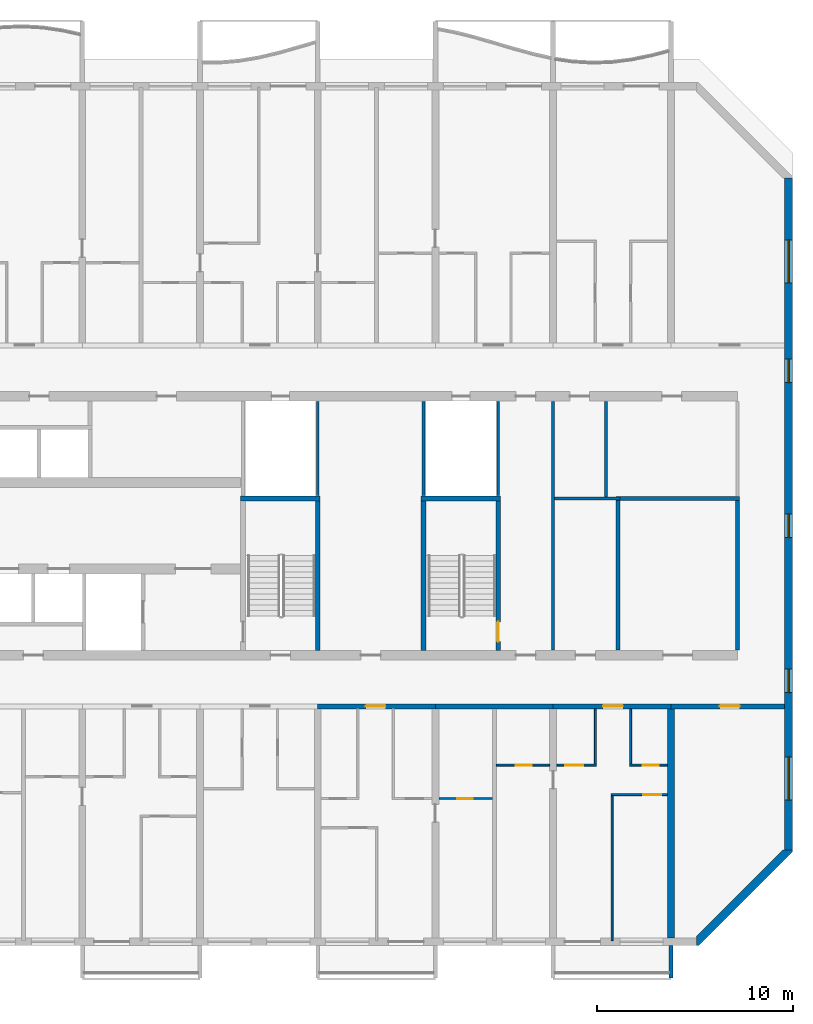
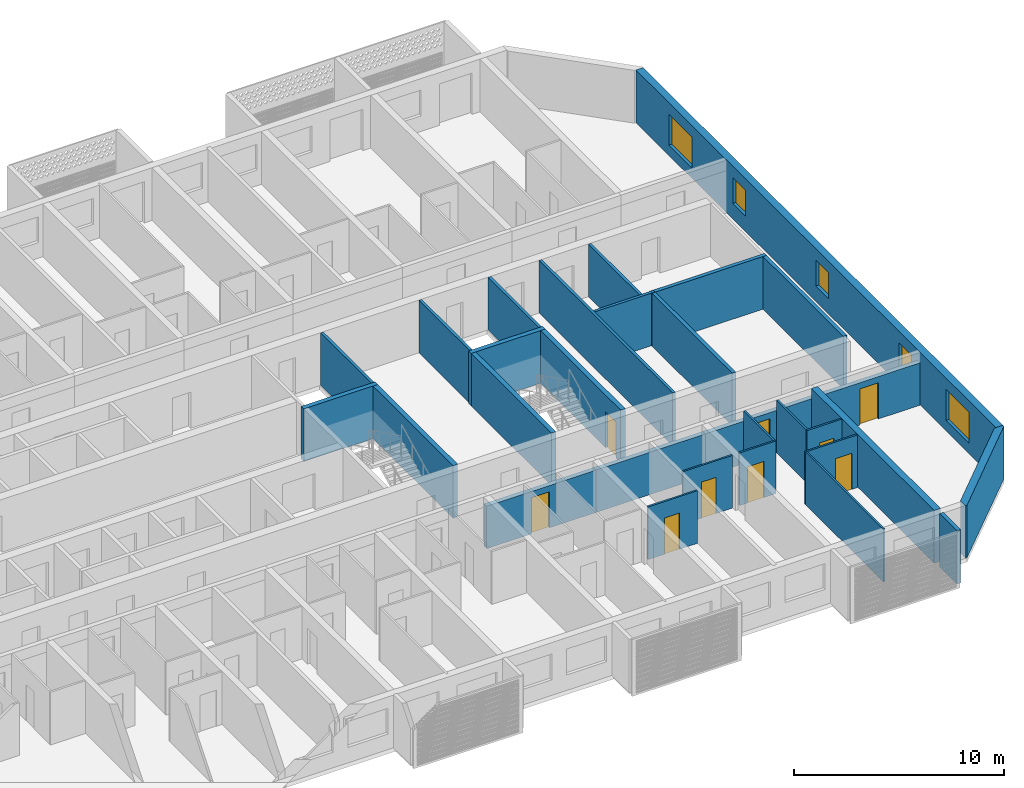
# One storey, part 15 of 28: 30 walls, 9 doors, 5 windows, 14 openings.
"""IFC4 building model written with IfcOpenShell, lengths in metres."""

from ifc_helpers import new_model, si_unit, direction, frame, frame_2d, origin, place, context, subcontext, project, spatial, polyline, rectangle, outline, extrude, source, transform, mapped, material, layer, layer_set, type_object, element, fill, save


model = new_model("IFC4")

# Units and contexts
model_context = context("Model", 3, precision=1e-05, world=origin(), true_north=direction((0.0, 1.0)))
body_context = subcontext(model_context, "Body", "Model", "MODEL_VIEW")
ifc_project = project(units=[si_unit("LENGTHUNIT", "METRE"), si_unit("AREAUNIT", "SQUARE_METRE"), si_unit("VOLUMEUNIT", "CUBIC_METRE"), si_unit("PLANEANGLEUNIT", "RADIAN"), si_unit("MASSUNIT", "GRAM", prefix="KILO")], contexts=[model_context])

# Site, building, storey
site_placement = place(None, origin())
site = spatial("IfcSite", under=ifc_project, at=site_placement, CompositionType="ELEMENT")
building_placement = place(site_placement, origin())
building = spatial("IfcBuilding", under=site, at=building_placement, Name="Poui Terraces", CompositionType="ELEMENT")
storey_placement = place(building_placement, frame((0.0, 0.0, 72.89990234375)))
storey = spatial("IfcBuildingStorey", under=building, at=storey_placement, Name="L19", CompositionType="ELEMENT", Elevation=72.89990234375)

# Wall
ifc_material_1 = material(Name="Fire-rated plasterboard wall")
ifc_layer_1 = layer(ifc_material_1, 0.14990234375)
ifc_layer_set_1 = layer_set([ifc_layer_1], Name="Fire-rated plasterboard wall")
wall_type_1 = type_object("IfcWallType", Name="CORRIDOR WALL 150", PredefinedType="PARTITIONING", material=ifc_layer_set_1)
wall_1_placement = place(storey_placement, frame((84.0, 14.860107421875, 0.0), z_axis=(0.0, 0.0, 1.0), x_axis=(0.0, 1.0, 0.0)))
element("IfcWall", 1, at=wall_1_placement, inside=storey, type_object=wall_type_1, Name="CORRIDOR WALL 150", PredefinedType="PARTITIONING", context=body_context, shape_type="SweptSolid", body=[
    extrude(rectangle(XDim=12.679931640625, YDim=0.14990234375, at=frame_2d((6.33984375, 0.0))), origin(), (0.0, 0.0, 1.0), 3.06005859375),
])

# Wall, opening, door
ifc_material_2 = material(Name="Concrete 65 MPa", Category="concrete")
ifc_layer_2 = layer(ifc_material_2, 0.25)
ifc_layer_set_2 = layer_set([ifc_layer_2], Name="Concrete 65 MPa")
wall_type_2 = type_object("IfcWallType", Name="CORRIDOR WALL 250 65MPa", PredefinedType="SHEAR", material=ifc_layer_set_2)
wall_2_placement = place(storey_placement, frame((72.0, 12.0, 0.0), z_axis=(0.0, 0.0, 1.0), x_axis=(1.0, 0.0, 0.0)))
wall_2 = element("IfcWall", 2, at=wall_2_placement, inside=storey, type_object=wall_type_2, Name="CORRIDOR WALL LINE B BAY 12", PredefinedType="SHEAR", context=body_context, shape_type="SweptSolid", body=[
    extrude(rectangle(XDim=6.0, YDim=0.25, at=frame_2d((3.0, 0.0))), origin(), (0.0, 0.0, 1.0), 2.460205078125),
])
opening_1_placement = place(wall_2_placement, frame((2.449951171875, 0.0, 0.0)))
opening_1 = element("IfcOpeningElement", 3, at=opening_1_placement, cuts=wall_2, Name="Opening FD30S", PredefinedType="OPENING", context=body_context, shape_type="SweptSolid", body=[
    extrude(rectangle(XDim=1.0, YDim=2.10009765625, at=frame_2d((0.5, 1.050048828125))), frame((0.0, 0.135009765625, 0.0), z_axis=(0.0, -1.0, 0.0), x_axis=(1.0, 0.0, 0.0)), (0.0, 0.0, 1.0), 0.27001953125),
])
ifc_material_3 = material(Name="Steel fire door", Category="steel")
door_type_1 = type_object("IfcDoorType", Name="FLAT ENTRANCE DOOR 1000 X 2100", OperationType="NOTDEFINED", PredefinedType="DOOR", material=ifc_material_3)
door_1_placement = place(opening_1_placement, frame((1.0, 0.0, 0.0), z_axis=(0.0, 0.0, 1.0), x_axis=(-1.0, 0.0, 0.0)))
door_1 = element("IfcDoor", 4, at=door_1_placement, inside=storey, type_object=door_type_1, Name="FLAT ENTRANCE DOOR 125", OperationType="SINGLE_SWING_RIGHT", OverallHeight=2.10009765625, OverallWidth=1.0, PredefinedType="DOOR", context=body_context, shape_type="SweptSolid", body=[
    extrude(rectangle(XDim=1.0, YDim=2.10009765625, at=frame_2d((0.5, 1.050048828125))), frame((0.0, 0.02490234375, 0.0), z_axis=(0.0, -1.0, 0.0), x_axis=(1.0, 0.0, 0.0)), (0.0, 0.0, 1.0), 0.050048828125),
])
fill(opening_1, door_1)

# Wall
wall_3_placement = place(storey_placement, frame((78.0, 12.0, 0.0), z_axis=(0.0, 0.0, 1.0), x_axis=(1.0, 0.0, 0.0)))
element("IfcWall", 5, at=wall_3_placement, inside=storey, type_object=wall_type_2, Name="CORRIDOR WALL LINE B BAY 13", PredefinedType="SHEAR", context=body_context, shape_type="SweptSolid", body=[
    extrude(rectangle(XDim=6.0, YDim=0.25, at=frame_2d((3.0, 0.0))), origin(), (0.0, 0.0, 1.0), 2.460205078125),
])

# Wall, opening, door
wall_4_placement = place(storey_placement, frame((84.0, 12.0, 0.0), z_axis=(0.0, 0.0, 1.0), x_axis=(1.0, 0.0, 0.0)))
wall_4 = element("IfcWall", 6, at=wall_4_placement, inside=storey, type_object=wall_type_2, Name="CORRIDOR WALL LINE B BAY 14", PredefinedType="SHEAR", context=body_context, shape_type="SweptSolid", body=[
    extrude(rectangle(XDim=6.0, YDim=0.25, at=frame_2d((3.0, 0.0))), origin(), (0.0, 0.0, 1.0), 2.460205078125),
])
opening_2_placement = place(wall_4_placement, frame((2.550048828125, 0.0, 0.0)))
opening_2 = element("IfcOpeningElement", 7, at=opening_2_placement, cuts=wall_4, Name="Opening FD30S", PredefinedType="OPENING", context=body_context, shape_type="SweptSolid", body=[
    extrude(rectangle(XDim=1.0, YDim=2.10009765625, at=frame_2d((0.5, 1.050048828125))), frame((0.0, 0.135009765625, 0.0), z_axis=(0.0, -1.0, 0.0), x_axis=(1.0, 0.0, 0.0)), (0.0, 0.0, 1.0), 0.27001953125),
])
door_2_placement = place(opening_2_placement, frame((1.0, 0.0, 0.0), z_axis=(0.0, 0.0, 1.0), x_axis=(-1.0, 0.0, 0.0)))
door_2 = element("IfcDoor", 8, at=door_2_placement, inside=storey, type_object=door_type_1, Name="FLAT ENTRANCE DOOR 131", OperationType="SINGLE_SWING_LEFT", OverallHeight=2.10009765625, OverallWidth=1.0, PredefinedType="DOOR", context=body_context, shape_type="SweptSolid", body=[
    extrude(rectangle(XDim=1.0, YDim=2.10009765625, at=frame_2d((0.5, 1.050048828125))), frame((0.0, 0.02490234375, 0.0), z_axis=(0.0, -1.0, 0.0), x_axis=(1.0, 0.0, 0.0)), (0.0, 0.0, 1.0), 0.050048828125),
])
fill(opening_2, door_2)

wall_5_placement = place(storey_placement, frame((90.0, 12.0, 0.0), z_axis=(0.0, 0.0, 1.0), x_axis=(1.0, 0.0, 0.0)))
wall_5 = element("IfcWall", 9, at=wall_5_placement, inside=storey, type_object=wall_type_2, Name="CORRIDOR WALL LINE B BAY 15", PredefinedType="SHEAR", context=body_context, shape_type="SweptSolid", body=[
    extrude(rectangle(XDim=5.800048828125, YDim=0.25, at=frame_2d((2.89990234375, 0.0))), origin(), (0.0, 0.0, 1.0), 2.460205078125),
])
opening_3_placement = place(wall_5_placement, frame((2.5, 0.0, 0.0)))
opening_3 = element("IfcOpeningElement", 10, at=opening_3_placement, cuts=wall_5, Name="Opening D100", PredefinedType="OPENING", context=body_context, shape_type="SweptSolid", body=[
    extrude(rectangle(XDim=1.0, YDim=2.10009765625, at=frame_2d((0.5, 1.050048828125))), frame((0.0, 0.135009765625, 0.0), z_axis=(0.0, -1.0, 0.0), x_axis=(1.0, 0.0, 0.0)), (0.0, 0.0, 1.0), 0.27001953125),
])
ifc_material_4 = material(Name="Solid core timber door", Category="wood")
door_type_2 = type_object("IfcDoorType", Name="ACCESSIBLE INTERNAL DOOR 1000 X 2100", OperationType="NOTDEFINED", PredefinedType="DOOR", material=ifc_material_4)
door_3_placement = place(opening_3_placement, frame((1.0, 0.0, 0.0), z_axis=(0.0, 0.0, 1.0), x_axis=(-1.0, 0.0, 0.0)))
door_3 = element("IfcDoor", 11, at=door_3_placement, inside=storey, type_object=door_type_2, Name="ACCESSIBLE INTERNAL DOOR 134", OperationType="SINGLE_SWING_RIGHT", OverallHeight=2.10009765625, OverallWidth=1.0, PredefinedType="DOOR", context=body_context, shape_type="SweptSolid", body=[
    extrude(rectangle(XDim=1.0, YDim=2.10009765625, at=frame_2d((0.5, 1.050048828125))), frame((0.0, 0.02490234375, 0.0), z_axis=(0.0, -1.0, 0.0), x_axis=(1.0, 0.0, 0.0)), (0.0, 0.0, 1.0), 0.050048828125),
])
fill(opening_3, door_3)

# Wall
ifc_layer_3 = layer(ifc_material_2, 0.35009765625)
ifc_layer_set_3 = layer_set([ifc_layer_3], Name="Concrete 65 MPa")
wall_type_3 = type_object("IfcWallType", Name="CROSS WALL 350 65MPa", PredefinedType="SHEAR", material=ifc_layer_set_3)
wall_6_placement = place(storey_placement, frame((90.0, 0.199951171875, 0.0), z_axis=(0.0, 0.0, 1.0), x_axis=(0.0, 1.0, 0.0)))
element("IfcWall", 12, at=wall_6_placement, inside=storey, type_object=wall_type_3, Name="CROSS WALL LINE 16 SOUTH", PredefinedType="SHEAR", context=body_context, shape_type="SweptSolid", body=[
    extrude(rectangle(XDim=11.675048828125, YDim=0.35009765625, at=frame_2d((5.83740234375, 0.0))), origin(), (0.0, 0.0, 1.0), 3.06005859375),
])

# Wall, openings, windows
ifc_layer_4 = layer(ifc_material_2, 0.39990234375)
ifc_layer_set_4 = layer_set([ifc_layer_4], Name="Concrete 65 MPa")
wall_type_4 = type_object("IfcWallType", Name="END WALL 400 65MPa", PredefinedType="SHEAR", material=ifc_layer_set_4)
wall_7_placement = place(storey_placement, frame((96.0, 4.682861328125, 0.0), z_axis=(0.0, 0.0, 1.0), x_axis=(0.0, 1.0, 0.0)))
wall_7 = element("IfcWall", 13, at=wall_7_placement, inside=storey, type_object=wall_type_4, Name="END WALL EAST", PredefinedType="SHEAR", context=body_context, shape_type="SweptSolid", body=[
    extrude(rectangle(XDim=34.234375, YDim=0.39990234375, at=frame_2d((17.1171875, 0.0))), origin(), (0.0, 0.0, 1.0), 3.06005859375),
])
opening_4_placement = place(wall_7_placement, frame((15.917236328125, 0.0, 0.89990234375)))
opening_4 = element("IfcOpeningElement", 14, at=opening_4_placement, cuts=wall_7, Name="Opening W2", PredefinedType="OPENING", context=body_context, shape_type="SweptSolid", body=[
    extrude(rectangle(XDim=1.199951171875, YDim=1.5, at=frame_2d((0.60009765625, 0.75))), frame((0.0, 0.2099609375, 0.0), z_axis=(0.0, -1.0, 0.0), x_axis=(1.0, 0.0, 0.0)), (0.0, 0.0, 1.0), 0.419921875),
])
opening_5_placement = place(wall_7_placement, frame((23.817138671875, 0.0, 0.89990234375)))
opening_5 = element("IfcOpeningElement", 15, at=opening_5_placement, cuts=wall_7, Name="Opening W2", PredefinedType="OPENING", context=body_context, shape_type="SweptSolid", body=[
    extrude(rectangle(XDim=1.199951171875, YDim=1.5, at=frame_2d((0.60009765625, 0.75))), frame((0.0, 0.2099609375, 0.0), z_axis=(0.0, -1.0, 0.0), x_axis=(1.0, 0.0, 0.0)), (0.0, 0.0, 1.0), 0.419921875),
])
opening_6_placement = place(wall_7_placement, frame((8.01708984375, 0.0, 0.89990234375)))
opening_6 = element("IfcOpeningElement", 16, at=opening_6_placement, cuts=wall_7, Name="Opening W2", PredefinedType="OPENING", context=body_context, shape_type="SweptSolid", body=[
    extrude(rectangle(XDim=1.199951171875, YDim=1.5, at=frame_2d((0.60009765625, 0.75))), frame((0.0, 0.2099609375, 0.0), z_axis=(0.0, -1.0, 0.0), x_axis=(1.0, 0.0, 0.0)), (0.0, 0.0, 1.0), 0.419921875),
])
opening_7_placement = place(wall_7_placement, frame((28.8935546875, 0.0, 0.60009765625)))
opening_7 = element("IfcOpeningElement", 17, at=opening_7_placement, cuts=wall_7, Name="Opening W3", PredefinedType="OPENING", context=body_context, shape_type="SweptSolid", body=[
    extrude(rectangle(XDim=2.199951171875, YDim=1.800048828125, at=frame_2d((1.10009765625, 0.89990234375))), frame((0.0, 0.2099609375, 0.0), z_axis=(0.0, -1.0, 0.0), x_axis=(1.0, 0.0, 0.0)), (0.0, 0.0, 1.0), 0.419921875),
])
opening_8_placement = place(wall_7_placement, frame((2.541015625, 0.0, 0.60009765625)))
opening_8 = element("IfcOpeningElement", 18, at=opening_8_placement, cuts=wall_7, Name="Opening W3", PredefinedType="OPENING", context=body_context, shape_type="SweptSolid", body=[
    extrude(rectangle(XDim=2.199951171875, YDim=1.800048828125, at=frame_2d((1.10009765625, 0.89990234375))), frame((0.0, 0.2099609375, 0.0), z_axis=(0.0, -1.0, 0.0), x_axis=(1.0, 0.0, 0.0)), (0.0, 0.0, 1.0), 0.419921875),
])
ifc_material_5 = material(Name="Clear glass in aluminium frame", Category="aluminium")
window_type_1 = type_object("IfcWindowType", Name="WINDOW 1200X1500", PartitioningType="SINGLE_PANEL", PredefinedType="WINDOW", material=ifc_material_5)
window_1_placement = place(opening_4_placement, origin())
window_1 = element("IfcWindow", 19, at=window_1_placement, inside=storey, type_object=window_type_1, Name="W2 WINDOW", OverallHeight=1.5, OverallWidth=1.199951171875, PartitioningType="SINGLE_PANEL", PredefinedType="WINDOW", context=body_context, shape_type="SweptSolid", body=[
    extrude(rectangle(XDim=1.199951171875, YDim=1.5, at=frame_2d((0.60009765625, 0.75))), frame((0.0, 0.030029296875, 0.0), z_axis=(0.0, -1.0, 0.0), x_axis=(1.0, 0.0, 0.0)), (0.0, 0.0, 1.0), 0.06005859375),
])
fill(opening_4, window_1)
window_2_placement = place(opening_5_placement, origin())
window_2 = element("IfcWindow", 20, at=window_2_placement, inside=storey, type_object=window_type_1, Name="W2 WINDOW", OverallHeight=1.5, OverallWidth=1.199951171875, PartitioningType="SINGLE_PANEL", PredefinedType="WINDOW", context=body_context, shape_type="SweptSolid", body=[
    extrude(rectangle(XDim=1.199951171875, YDim=1.5, at=frame_2d((0.60009765625, 0.75))), frame((0.0, 0.030029296875, 0.0), z_axis=(0.0, -1.0, 0.0), x_axis=(1.0, 0.0, 0.0)), (0.0, 0.0, 1.0), 0.06005859375),
])
fill(opening_5, window_2)
window_3_placement = place(opening_6_placement, origin())
window_3 = element("IfcWindow", 21, at=window_3_placement, inside=storey, type_object=window_type_1, Name="W2 WINDOW", OverallHeight=1.5, OverallWidth=1.199951171875, PartitioningType="SINGLE_PANEL", PredefinedType="WINDOW", context=body_context, shape_type="SweptSolid", body=[
    extrude(rectangle(XDim=1.199951171875, YDim=1.5, at=frame_2d((0.60009765625, 0.75))), frame((0.0, 0.030029296875, 0.0), z_axis=(0.0, -1.0, 0.0), x_axis=(1.0, 0.0, 0.0)), (0.0, 0.0, 1.0), 0.06005859375),
])
fill(opening_6, window_3)
window_type_2 = type_object("IfcWindowType", Name="WINDOW 2200X1800", PartitioningType="DOUBLE_PANEL_HORIZONTAL", PredefinedType="WINDOW", material=ifc_material_5)
window_4_placement = place(opening_7_placement, origin())
window_4 = element("IfcWindow", 22, at=window_4_placement, inside=storey, type_object=window_type_2, Name="W3 WINDOW", OverallHeight=1.800048828125, OverallWidth=2.199951171875, PartitioningType="DOUBLE_PANEL_HORIZONTAL", PredefinedType="WINDOW", context=body_context, shape_type="SweptSolid", body=[
    extrude(rectangle(XDim=2.199951171875, YDim=1.800048828125, at=frame_2d((1.10009765625, 0.89990234375))), frame((0.0, 0.030029296875, 0.0), z_axis=(0.0, -1.0, 0.0), x_axis=(1.0, 0.0, 0.0)), (0.0, 0.0, 1.0), 0.06005859375),
])
fill(opening_7, window_4)
window_5_placement = place(opening_8_placement, origin())
window_5 = element("IfcWindow", 23, at=window_5_placement, inside=storey, type_object=window_type_2, Name="W3 WINDOW", OverallHeight=1.800048828125, OverallWidth=2.199951171875, PartitioningType="DOUBLE_PANEL_HORIZONTAL", PredefinedType="WINDOW", context=body_context, shape_type="SweptSolid", body=[
    extrude(rectangle(XDim=2.199951171875, YDim=1.800048828125, at=frame_2d((1.10009765625, 0.89990234375))), frame((0.0, 0.030029296875, 0.0), z_axis=(0.0, -1.0, 0.0), x_axis=(1.0, 0.0, 0.0)), (0.0, 0.0, 1.0), 0.06005859375),
])
fill(opening_8, window_5)

# Wall, opening, door
ifc_material_6 = material(Name="Plasterboard partition")
ifc_layer_5 = layer(ifc_material_6, 0.10009765625)
ifc_layer_set_5 = layer_set([ifc_layer_5], Name="Plasterboard partition")
wall_type_5 = type_object("IfcWallType", Name="FLAT PARTITION 100", PredefinedType="PARTITIONING", material=ifc_layer_set_5)
wall_8_placement = place(storey_placement, frame((78.18505859375, 7.300048828125, 0.0), z_axis=(0.0, 0.0, 1.0), x_axis=(1.0, 0.0, 0.0)))
wall_8 = element("IfcWall", 24, at=wall_8_placement, inside=storey, type_object=wall_type_5, Name="FLAT PARTITION 100", PredefinedType="PARTITIONING", context=body_context, shape_type="SweptSolid", body=[
    extrude(rectangle(XDim=2.71484375, YDim=0.10009765625, at=frame_2d((1.357421875, 0.0))), origin(), (0.0, 0.0, 1.0), 3.06005859375),
])
opening_9_placement = place(wall_8_placement, frame((0.9150390625, 0.0, 0.0)))
opening_9 = element("IfcOpeningElement", 25, at=opening_9_placement, cuts=wall_8, Name="Opening D80", PredefinedType="OPENING", context=body_context, shape_type="SweptSolid", body=[
    extrude(rectangle(XDim=0.800048828125, YDim=2.10009765625, at=frame_2d((0.39990234375, 1.050048828125))), frame((0.0, 0.06005859375, 0.0), z_axis=(0.0, -1.0, 0.0), x_axis=(1.0, 0.0, 0.0)), (0.0, 0.0, 1.0), 0.1201171875),
])
door_type_3 = type_object("IfcDoorType", Name="BATHROOM, LAUNDRY AND STORE DOOR 800 X 2100", OperationType="NOTDEFINED", PredefinedType="DOOR", material=ifc_material_4)
door_4_placement = place(opening_9_placement, origin())
door_4 = element("IfcDoor", 26, at=door_4_placement, inside=storey, type_object=door_type_3, Name="BATHROOM, LAUNDRY AND STORE DOOR 122", OperationType="SINGLE_SWING_RIGHT", OverallHeight=2.10009765625, OverallWidth=0.800048828125, PredefinedType="DOOR", context=body_context, shape_type="SweptSolid", body=[
    extrude(rectangle(XDim=0.800048828125, YDim=2.10009765625, at=frame_2d((0.39990234375, 1.050048828125))), frame((0.0, 0.02490234375, 0.0), z_axis=(0.0, -1.0, 0.0), x_axis=(1.0, 0.0, 0.0)), (0.0, 0.0, 1.0), 0.050048828125),
])
fill(opening_9, door_4)

wall_9_placement = place(storey_placement, frame((86.949951171875, 7.5, 0.0), z_axis=(0.0, 0.0, 1.0), x_axis=(1.0, 0.0, 0.0)))
wall_9 = element("IfcWall", 27, at=wall_9_placement, inside=storey, type_object=wall_type_5, Name="FLAT PARTITION 100", PredefinedType="PARTITIONING", context=body_context, shape_type="SweptSolid", body=[
    extrude(rectangle(XDim=2.864990234375, YDim=0.10009765625, at=frame_2d((1.4326171875, 0.0))), origin(), (0.0, 0.0, 1.0), 3.06005859375),
])
opening_10_placement = place(wall_9_placement, frame((1.64990234375, 0.0, 0.0)))
opening_10 = element("IfcOpeningElement", 28, at=opening_10_placement, cuts=wall_9, Name="Opening D90", PredefinedType="OPENING", context=body_context, shape_type="SweptSolid", body=[
    extrude(rectangle(XDim=0.89990234375, YDim=2.10009765625, at=frame_2d((0.449951171875, 1.050048828125))), frame((0.0, 0.06005859375, 0.0), z_axis=(0.0, -1.0, 0.0), x_axis=(1.0, 0.0, 0.0)), (0.0, 0.0, 1.0), 0.1201171875),
])
door_type_4 = type_object("IfcDoorType", Name="INTERNAL DOOR 900 X 2100", OperationType="NOTDEFINED", PredefinedType="DOOR", material=ifc_material_4)
door_5_placement = place(opening_10_placement, origin())
door_5 = element("IfcDoor", 29, at=door_5_placement, inside=storey, type_object=door_type_4, Name="INTERNAL DOOR 133", OperationType="SINGLE_SWING_LEFT", OverallHeight=2.10009765625, OverallWidth=0.89990234375, PredefinedType="DOOR", context=body_context, shape_type="SweptSolid", body=[
    extrude(rectangle(XDim=0.89990234375, YDim=2.10009765625, at=frame_2d((0.449951171875, 1.050048828125))), frame((0.0, 0.02490234375, 0.0), z_axis=(0.0, -1.0, 0.0), x_axis=(1.0, 0.0, 0.0)), (0.0, 0.0, 1.0), 0.050048828125),
])
fill(opening_10, door_5)

wall_10_placement = place(storey_placement, frame((81.10009765625, 9.0, 0.0), z_axis=(0.0, 0.0, 1.0), x_axis=(1.0, 0.0, 0.0)))
wall_10 = element("IfcWall", 30, at=wall_10_placement, inside=storey, type_object=wall_type_5, Name="FLAT PARTITION 100", PredefinedType="PARTITIONING", context=body_context, shape_type="SweptSolid", body=[
    extrude(rectangle(XDim=2.71484375, YDim=0.10009765625, at=frame_2d((1.357421875, 0.0))), origin(), (0.0, 0.0, 1.0), 3.06005859375),
])
opening_11_placement = place(wall_10_placement, frame((1.0, 0.0, 0.0)))
opening_11 = element("IfcOpeningElement", 31, at=opening_11_placement, cuts=wall_10, Name="Opening D80", PredefinedType="OPENING", context=body_context, shape_type="SweptSolid", body=[
    extrude(rectangle(XDim=0.800048828125, YDim=2.10009765625, at=frame_2d((0.39990234375, 1.050048828125))), frame((0.0, 0.06005859375, 0.0), z_axis=(0.0, -1.0, 0.0), x_axis=(1.0, 0.0, 0.0)), (0.0, 0.0, 1.0), 0.1201171875),
])
door_6_placement = place(opening_11_placement, origin())
door_6 = element("IfcDoor", 32, at=door_6_placement, inside=storey, type_object=door_type_3, Name="BATHROOM, LAUNDRY AND STORE DOOR 128", OperationType="SINGLE_SWING_LEFT", OverallHeight=2.10009765625, OverallWidth=0.800048828125, PredefinedType="DOOR", context=body_context, shape_type="SweptSolid", body=[
    extrude(rectangle(XDim=0.800048828125, YDim=2.10009765625, at=frame_2d((0.39990234375, 1.050048828125))), frame((0.0, 0.02490234375, 0.0), z_axis=(0.0, -1.0, 0.0), x_axis=(1.0, 0.0, 0.0)), (0.0, 0.0, 1.0), 0.050048828125),
])
fill(opening_11, door_6)

wall_11_placement = place(storey_placement, frame((84.18505859375, 9.0, 0.0), z_axis=(0.0, 0.0, 1.0), x_axis=(1.0, 0.0, 0.0)))
wall_11 = element("IfcWall", 33, at=wall_11_placement, inside=storey, type_object=wall_type_5, Name="FLAT PARTITION 100", PredefinedType="PARTITIONING", context=body_context, shape_type="SweptSolid", body=[
    extrude(rectangle(XDim=2.014892578125, YDim=0.10009765625, at=frame_2d((1.00732421875, 0.0))), origin(), (0.0, 0.0, 1.0), 3.06005859375),
])
opening_12_placement = place(wall_11_placement, frame((0.43994140625, 0.0, 0.0)))
opening_12 = element("IfcOpeningElement", 34, at=opening_12_placement, cuts=wall_11, Name="Opening D90", PredefinedType="OPENING", context=body_context, shape_type="SweptSolid", body=[
    extrude(rectangle(XDim=0.89990234375, YDim=2.10009765625, at=frame_2d((0.449951171875, 1.050048828125))), frame((0.0, 0.06005859375, 0.0), z_axis=(0.0, -1.0, 0.0), x_axis=(1.0, 0.0, 0.0)), (0.0, 0.0, 1.0), 0.1201171875),
])
door_7_placement = place(opening_12_placement, origin())
door_7 = element("IfcDoor", 35, at=door_7_placement, inside=storey, type_object=door_type_4, Name="INTERNAL DOOR 130", OperationType="SINGLE_SWING_LEFT", OverallHeight=2.10009765625, OverallWidth=0.89990234375, PredefinedType="DOOR", context=body_context, shape_type="SweptSolid", body=[
    extrude(rectangle(XDim=0.89990234375, YDim=2.10009765625, at=frame_2d((0.449951171875, 1.050048828125))), frame((0.0, 0.02490234375, 0.0), z_axis=(0.0, -1.0, 0.0), x_axis=(1.0, 0.0, 0.0)), (0.0, 0.0, 1.0), 0.050048828125),
])
fill(opening_12, door_7)

wall_12_placement = place(storey_placement, frame((87.89990234375, 9.0, 0.0), z_axis=(0.0, 0.0, 1.0), x_axis=(1.0, 0.0, 0.0)))
wall_12 = element("IfcWall", 36, at=wall_12_placement, inside=storey, type_object=wall_type_5, Name="FLAT PARTITION 100", PredefinedType="PARTITIONING", context=body_context, shape_type="SweptSolid", body=[
    extrude(rectangle(XDim=1.9150390625, YDim=0.10009765625, at=frame_2d((0.95751953125, 0.0))), origin(), (0.0, 0.0, 1.0), 3.06005859375),
])
opening_13_placement = place(wall_12_placement, frame((0.675048828125, 0.0, 0.0)))
opening_13 = element("IfcOpeningElement", 37, at=opening_13_placement, cuts=wall_12, Name="Opening D80", PredefinedType="OPENING", context=body_context, shape_type="SweptSolid", body=[
    extrude(rectangle(XDim=0.800048828125, YDim=2.10009765625, at=frame_2d((0.39990234375, 1.050048828125))), frame((0.0, 0.06005859375, 0.0), z_axis=(0.0, -1.0, 0.0), x_axis=(1.0, 0.0, 0.0)), (0.0, 0.0, 1.0), 0.1201171875),
])
door_8_placement = place(opening_13_placement, origin())
door_8 = element("IfcDoor", 38, at=door_8_placement, inside=storey, type_object=door_type_3, Name="BATHROOM, LAUNDRY AND STORE DOOR 132", OperationType="SINGLE_SWING_RIGHT", OverallHeight=2.10009765625, OverallWidth=0.800048828125, PredefinedType="DOOR", context=body_context, shape_type="SweptSolid", body=[
    extrude(rectangle(XDim=0.800048828125, YDim=2.10009765625, at=frame_2d((0.39990234375, 1.050048828125))), frame((0.0, 0.02490234375, 0.0), z_axis=(0.0, -1.0, 0.0), x_axis=(1.0, 0.0, 0.0)), (0.0, 0.0, 1.0), 0.050048828125),
])
fill(opening_13, door_8)

# Walls
wall_13_placement = place(storey_placement, frame((86.14990234375, 9.050048828125, 0.0), z_axis=(0.0, 0.0, 1.0), x_axis=(0.0, 1.0, 0.0)))
element("IfcWall", 39, at=wall_13_placement, inside=storey, type_object=wall_type_5, Name="FLAT PARTITION 100", PredefinedType="PARTITIONING", context=body_context, shape_type="SweptSolid", body=[
    extrude(rectangle(XDim=2.81494140625, YDim=0.10009765625, at=frame_2d((1.407470703125, 0.0))), origin(), (0.0, 0.0, 1.0), 3.06005859375),
])
wall_14_placement = place(storey_placement, frame((87.0, 0.06005859375, 0.0), z_axis=(0.0, 0.0, 1.0), x_axis=(0.0, 1.0, 0.0)))
element("IfcWall", 40, at=wall_14_placement, inside=storey, type_object=wall_type_5, Name="FLAT PARTITION 100", PredefinedType="PARTITIONING", context=body_context, shape_type="SweptSolid", body=[
    extrude(rectangle(XDim=7.389892578125, YDim=0.10009765625, at=frame_2d((3.69482421875, 0.0))), origin(), (0.0, 0.0, 1.0), 3.06005859375),
])
wall_15_placement = place(storey_placement, frame((87.949951171875, 9.050048828125, 0.0), z_axis=(0.0, 0.0, 1.0), x_axis=(0.0, 1.0, 0.0)))
element("IfcWall", 41, at=wall_15_placement, inside=storey, type_object=wall_type_5, Name="FLAT PARTITION 100", PredefinedType="PARTITIONING", context=body_context, shape_type="SweptSolid", body=[
    extrude(rectangle(XDim=2.81494140625, YDim=0.10009765625, at=frame_2d((1.407470703125, 0.0))), origin(), (0.0, 0.0, 1.0), 3.06005859375),
])
ifc_layer_6 = layer(ifc_material_6, 0.14990234375)
ifc_layer_set_6 = layer_set([ifc_layer_6], Name="Plasterboard partition")
wall_type_6 = type_object("IfcWallType", Name="PARTITION WALL 150", PredefinedType="PARTITIONING", material=ifc_layer_set_6)
wall_16_placement = place(storey_placement, frame((84.074951171875, 22.60009765625, 0.0), z_axis=(0.0, 0.0, 1.0), x_axis=(1.0, 0.0, 0.0)))
element("IfcWall", 42, at=wall_16_placement, inside=storey, type_object=wall_type_6, Name="PARTITION WALL 150", PredefinedType="PARTITIONING", context=body_context, shape_type="SweptSolid", body=[
    extrude(rectangle(XDim=3.324951171875, YDim=0.14990234375, at=frame_2d((1.66259765625, 0.0))), origin(), (0.0, 0.0, 1.0), 3.06005859375),
])
wall_17_placement = place(storey_placement, frame((86.699951171875, 22.675048828125, 0.0), z_axis=(0.0, 0.0, 1.0), x_axis=(0.0, 1.0, 0.0)))
element("IfcWall", 43, at=wall_17_placement, inside=storey, type_object=wall_type_6, Name="PARTITION WALL 150", PredefinedType="PARTITIONING", context=body_context, shape_type="SweptSolid", body=[
    extrude(rectangle(XDim=4.864990234375, YDim=0.14990234375, at=frame_2d((2.4326171875, 0.0))), origin(), (0.0, 0.0, 1.0), 3.06005859375),
])
ifc_material_7 = material(Name="Fire-rated masonry wall", Category="masonry")
ifc_layer_7 = layer(ifc_material_7, 0.199951171875)
ifc_layer_set_7 = layer_set([ifc_layer_7], Name="Fire-rated masonry wall")
wall_type_7 = type_object("IfcWallType", Name="PLANT ROOM WALL 200", PredefinedType="PARTITIONING", material=ifc_layer_set_7)
wall_18_placement = place(storey_placement, frame((87.199951171875, 22.60009765625, 0.0), z_axis=(0.0, 0.0, 1.0), x_axis=(1.0, 0.0, 0.0)))
element("IfcWall", 44, at=wall_18_placement, inside=storey, type_object=wall_type_7, Name="PLANT ROOM WALL 200", PredefinedType="PARTITIONING", context=body_context, shape_type="SweptSolid", body=[
    extrude(rectangle(XDim=6.300048828125, YDim=0.199951171875, at=frame_2d((3.14990234375, 0.0))), origin(), (0.0, 0.0, 1.0), 3.06005859375),
])
for number, where, z_axis, x_axis, name in (
    (45, (87.300048828125, 14.860107421875, 0.0), (0.0, 0.0, 1.0), (0.0, 1.0, 0.0), "PLANT ROOM WALL 200"),
    (46, (93.39990234375, 14.860107421875, 0.0), (0.0, 0.0, 1.0), (0.0, 1.0, 0.0), "PLANT ROOM WALL 200"),
):
    element("IfcWall", number, at=place(storey_placement, frame(where, z_axis=z_axis, x_axis=x_axis)), inside=storey, type_object=wall_type_7, Name=name, PredefinedType="PARTITIONING", context=body_context, shape_type="SweptSolid", body=[
        extrude(rectangle(XDim=7.639892578125, YDim=0.199951171875, at=frame_2d((3.81982421875, 0.0))), origin(), (0.0, 0.0, 1.0), 3.06005859375),
    ])
ifc_material_8 = material(Name="Fire-rated plasterboard riser wall")
ifc_layer_8 = layer(ifc_material_8, 0.14990234375)
ifc_layer_set_8 = layer_set([ifc_layer_8], Name="Fire-rated plasterboard riser wall")
wall_type_8 = type_object("IfcWallType", Name="RISER WALL 150", PredefinedType="PARTITIONING", material=ifc_layer_set_8)
for number, where, z_axis, x_axis, name in (
    (47, (72.0, 22.735107421875, 0.0), (0.0, 0.0, 1.0), (0.0, 1.0, 0.0), "RISER WALL 150"),
    (48, (77.39990234375, 22.735107421875, 0.0), (0.0, 0.0, 1.0), (0.0, 1.0, 0.0), "RISER WALL 150"),
    (49, (81.199951171875, 22.735107421875, 0.0), (0.0, 0.0, 1.0), (0.0, 1.0, 0.0), "RISER WALL 150"),
):
    element("IfcWall", number, at=place(storey_placement, frame(where, z_axis=z_axis, x_axis=x_axis)), inside=storey, type_object=wall_type_8, Name=name, PredefinedType="PARTITIONING", context=body_context, shape_type="SweptSolid", body=[
        extrude(rectangle(XDim=4.804931640625, YDim=0.14990234375, at=frame_2d((2.40234375, 0.0))), origin(), (0.0, 0.0, 1.0), 3.06005859375),
    ])
ifc_layer_9 = layer(ifc_material_2, 0.25)
ifc_layer_set_9 = layer_set([ifc_layer_9], Name="Concrete 65 MPa")
wall_type_9 = type_object("IfcWallType", Name="STAIR CORE WALL 250 65 MPA", PredefinedType="SOLIDWALL", material=ifc_layer_set_9)
wall_19_placement = place(storey_placement, frame((72.0, 14.85009765625, 0.0), z_axis=(0.0, 0.0, 1.0), x_axis=(0.0, 1.0, 0.0)))
element("IfcWall", 50, at=wall_19_placement, inside=storey, type_object=wall_type_9, Name="STAIR CORE WALL", PredefinedType="SOLIDWALL", context=body_context, shape_type="SweptSolid", body=[
    extrude(rectangle(XDim=7.625, YDim=0.25, at=frame_2d((3.8125, 0.0))), origin(), (0.0, 0.0, 1.0), 3.06005859375),
])
wall_20_placement = place(storey_placement, frame((68.074951171875, 22.60009765625, 0.0), z_axis=(0.0, 0.0, 1.0), x_axis=(1.0, 0.0, 0.0)))
element("IfcWall", 51, at=wall_20_placement, inside=storey, type_object=wall_type_9, Name="STAIR CORE WALL", PredefinedType="SOLIDWALL", context=body_context, shape_type="SweptSolid", body=[
    extrude(rectangle(XDim=4.050048828125, YDim=0.25, at=frame_2d((2.02490234375, 0.0))), origin(), (0.0, 0.0, 1.0), 3.06005859375),
])
wall_21_placement = place(storey_placement, frame((77.39990234375, 14.85009765625, 0.0), z_axis=(0.0, 0.0, 1.0), x_axis=(0.0, 1.0, 0.0)))
element("IfcWall", 52, at=wall_21_placement, inside=storey, type_object=wall_type_9, Name="STAIR CORE WALL", PredefinedType="SOLIDWALL", context=body_context, shape_type="SweptSolid", body=[
    extrude(rectangle(XDim=7.625, YDim=0.25, at=frame_2d((3.8125, 0.0))), origin(), (0.0, 0.0, 1.0), 3.06005859375),
])

# Wall, opening, door
wall_22_placement = place(storey_placement, frame((81.199951171875, 14.85009765625, 0.0), z_axis=(0.0, 0.0, 1.0), x_axis=(0.0, 1.0, 0.0)))
wall_22 = element("IfcWall", 53, at=wall_22_placement, inside=storey, type_object=wall_type_9, Name="STAIR CORE WALL", PredefinedType="SOLIDWALL", context=body_context, shape_type="SweptSolid", body=[
    extrude(rectangle(XDim=7.625, YDim=0.25, at=frame_2d((3.8125, 0.0))), origin(), (0.0, 0.0, 1.0), 3.06005859375),
])
opening_14_placement = place(wall_22_placement, frame((0.449951171875, 0.0, 0.0)))
opening_14 = element("IfcOpeningElement", 54, at=opening_14_placement, cuts=wall_22, Name="Opening FD60S", PredefinedType="OPENING", context=body_context, shape_type="SweptSolid", body=[
    extrude(rectangle(XDim=1.0, YDim=2.10009765625, at=frame_2d((0.5, 1.050048828125))), frame((0.0, 0.135009765625, 0.0), z_axis=(0.0, -1.0, 0.0), x_axis=(1.0, 0.0, 0.0)), (0.0, 0.0, 1.0), 0.27001953125),
])
door_type_5 = type_object("IfcDoorType", Name="STAIR DOOR 1000 X 2100", OperationType="NOTDEFINED", PredefinedType="DOOR", material=ifc_material_3)
door_9_placement = place(opening_14_placement, origin())
door_9 = element("IfcDoor", 55, at=door_9_placement, inside=storey, type_object=door_type_5, Name="STAIR DOOR 150", OperationType="SINGLE_SWING_LEFT", OverallHeight=2.10009765625, OverallWidth=1.0, PredefinedType="DOOR", context=body_context, shape_type="SweptSolid", body=[
    extrude(rectangle(XDim=1.0, YDim=2.10009765625, at=frame_2d((0.5, 1.050048828125))), frame((0.0, 0.02490234375, 0.0), z_axis=(0.0, -1.0, 0.0), x_axis=(1.0, 0.0, 0.0)), (0.0, 0.0, 1.0), 0.050048828125),
])
fill(opening_14, door_9)

# Walls
wall_23_placement = place(storey_placement, frame((77.27490234375, 22.60009765625, 0.0), z_axis=(0.0, 0.0, 1.0), x_axis=(1.0, 0.0, 0.0)))
element("IfcWall", 56, at=wall_23_placement, inside=storey, type_object=wall_type_9, Name="STAIR CORE WALL", PredefinedType="SOLIDWALL", context=body_context, shape_type="SweptSolid", body=[
    extrude(rectangle(XDim=4.050048828125, YDim=0.25, at=frame_2d((2.02490234375, 0.0))), origin(), (0.0, 0.0, 1.0), 3.06005859375),
])
ifc_material_9 = material(Name="Precast concrete 40 MPa", Category="concrete")
ifc_layer_10 = layer(ifc_material_9, 0.39990234375)
ifc_layer_set_10 = layer_set([ifc_layer_10], Name="Precast concrete 40 MPa")
wall_type_10 = type_object("IfcWallType", Name="TERRACOTTA CLAD CHAMFER WALL 400", PredefinedType="STANDARD", material=ifc_layer_set_10)
wall_24_placement = place(storey_placement, origin())
element("IfcWall", 57, at=wall_24_placement, inside=storey, type_object=wall_type_10, Name="CHAMFER WALL CH01", PredefinedType="STANDARD", context=body_context, shape_type="SweptSolid", body=[
    extrude(outline(polyline([(91.317138671875, -0.199951171875), (91.39990234375, -0.199951171875), (96.199951171875, 4.60009765625), (96.199951171875, 4.682861328125), (95.71728515625, 4.682861328125), (91.317138671875, 0.28271484375), (91.317138671875, -0.199951171875)])), origin(), (0.0, 0.0, 1.0), 3.06005859375),
])
ifc_layer_11 = layer(ifc_material_9, 0.199951171875)
ifc_layer_set_11 = layer_set([ifc_layer_11], Name="Precast concrete 40 MPa")
wall_type_11 = type_object("IfcWallType", Name="REAR FIN 200", PredefinedType="STANDARD", material=ifc_layer_set_11)
shared_shape = source(origin(), body_context, "Body", "SweptSolid", [
    extrude(outline(polyline([(0.0, 0.0), (0.2001953125, 0.0), (0.2001953125, 1.650146484375), (0.0, 1.650146484375), (0.0, 0.0)])), origin(), (0.0, 0.0, 1.0), 3.10009765625),
])
wall_25_placement = place(storey_placement, frame((89.89990234375, -1.85009765625, 0.0)))
element("IfcWall", 58, at=wall_25_placement, inside=storey, type_object=wall_type_11, Name="REAR FIN", PredefinedType="STANDARD", context=body_context, shape_type="MappedRepresentation", body=[
    mapped(shared_shape, transform((0.0, 0.0, 0.0))),
])

save(model, "model.ifc")
